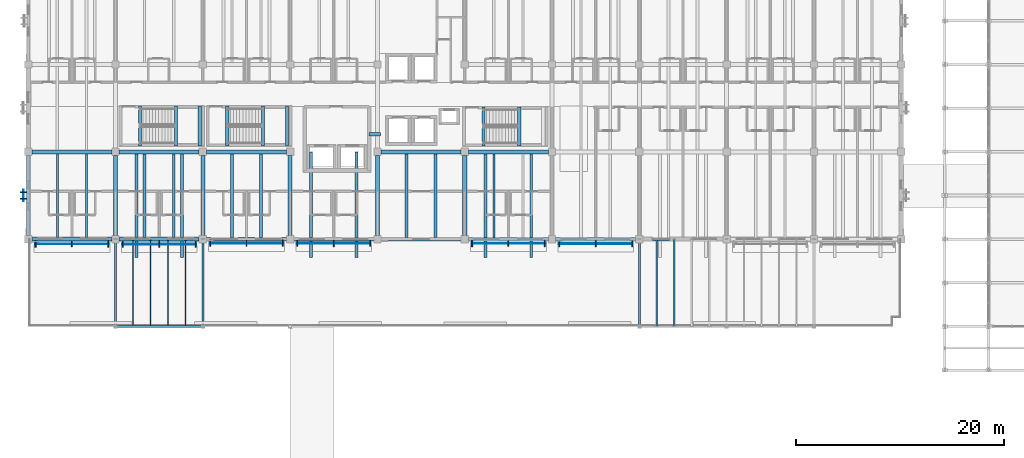
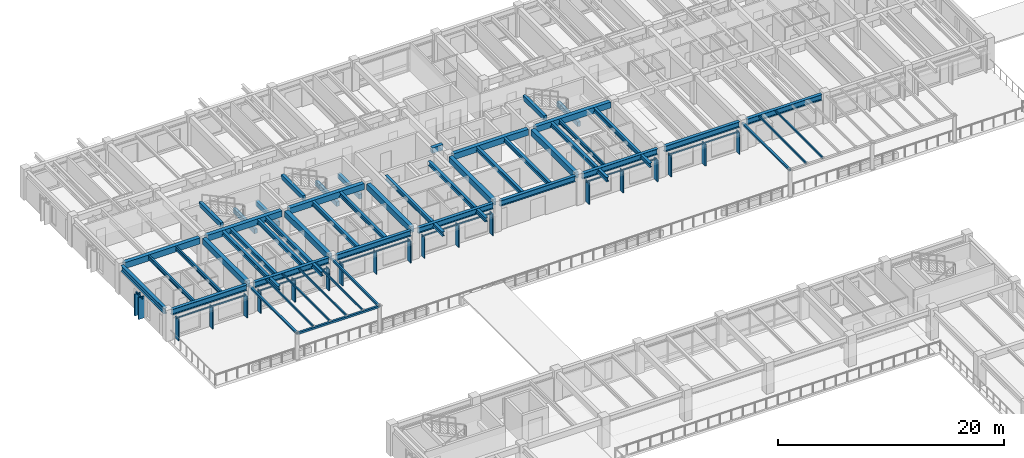
# One storey, part 15 of 111: 43 beams, 37 members, 7 elements without a shape of their own.
"""IFC4 building model written with IfcOpenShell, lengths in metres."""

from ifc_helpers import new_model, si_unit, direction, frame, origin, origin_2d, place, context, subcontext, project, spatial, rectangle, hollow_rectangle, i_section, extrude, material, material_profile, profile_set, type_object, element, aggregate, save


model = new_model("IFC4")

# Units and contexts
model_context = context("Model", 3, precision=1e-05, world=origin(), true_north=direction((0.0, 1.0)))
body_context = subcontext(model_context, "Body", "Model", "MODEL_VIEW")
ifc_project = project(units=[si_unit("LENGTHUNIT", "METRE"), si_unit("AREAUNIT", "SQUARE_METRE"), si_unit("VOLUMEUNIT", "CUBIC_METRE"), si_unit("PLANEANGLEUNIT", "RADIAN"), si_unit("MASSUNIT", "GRAM", prefix="KILO")], contexts=[model_context])

# Site, building, storey
site_placement = place(None, origin())
site = spatial("IfcSite", under=ifc_project, at=site_placement, CompositionType="ELEMENT")
building_placement = place(site_placement, origin())
building = spatial("IfcBuilding", under=site, at=building_placement, Name="Cumbredor Promenade Congress Hotel", CompositionType="ELEMENT")
storey_placement = place(building_placement, frame((0.0, 0.0, 15.1201171875)))
storey = spatial("IfcBuildingStorey", under=building, at=storey_placement, Name="L04", CompositionType="ELEMENT", Elevation=15.1201171875)

# Beams
ifc_material_1 = material(Name="Concrete C40/50", Category="concrete")
ifc_material_profile_1 = material_profile(ifc_material_1, rectangle(XDim=0.39990234375, YDim=0.64990234375, at=origin_2d()), Name="RC BEAM 400x650")
ifc_profile_set_1 = profile_set([ifc_material_profile_1], Name="Concrete C40/50")
beam_type_1 = type_object("IfcBeamType", Name="BM-RC-400x650", PredefinedType="BEAM", material=ifc_profile_set_1)
for number, where, z_axis, x_axis, name in (
    (1, (0.35009765625, 100.800048828125, 2.794921875), (1.0, 0.0, 0.0), (0.0, 1.0, 0.0), "L05 X-Grid Beam 003"),
    (2, (8.39990234375, 92.75, 2.794921875), (0.0, 1.0, 0.0), (-1.0, 0.0, 0.0), "L05 Y-Grid Beam 024"),
    (3, (8.75, 100.800048828125, 2.794921875), (1.0, 0.0, 0.0), (0.0, 1.0, 0.0), "L05 X-Grid Beam 025"),
    (4, (16.800048828125, 92.75, 2.794921875), (0.0, 1.0, 0.0), (-1.0, 0.0, 0.0), "L05 Y-Grid Beam 040"),
):
    element("IfcBeam", number, at=place(storey_placement, frame(where, z_axis=z_axis, x_axis=x_axis)), inside=storey, type_object=beam_type_1, Name=name, PredefinedType="BEAM", context=body_context, shape_type="SweptSolid", body=[
        extrude(rectangle(XDim=0.39990234375, YDim=0.64990234375, at=origin_2d()), origin(), (0.0, 0.0, 1.0), 7.699951171875),
    ])
beam_1_placement = place(storey_placement, frame((17.14990234375, 100.800048828125, 2.794921875), z_axis=(1.0, 0.0, 0.0), x_axis=(0.0, 1.0, 0.0)))
element("IfcBeam", 5, at=beam_1_placement, inside=storey, type_object=beam_type_1, Name="L05 X-Grid Beam 041", PredefinedType="BEAM", context=body_context, shape_type="SweptSolid", body=[
    extrude(rectangle(XDim=0.39990234375, YDim=0.64990234375, at=origin_2d()), origin(), (0.0, 0.0, 1.0), 7.7001953125),
])
for number, where, z_axis, x_axis, name in (
    (6, (25.199951171875, 92.75, 2.794921875), (0.0, 1.0, 0.0), (-1.0, 0.0, 0.0), "L05 Y-Grid Beam 051"),
    (7, (33.60009765625, 92.75, 2.794921875), (0.0, 1.0, 0.0), (-1.0, 0.0, 0.0), "L05 Y-Grid Beam 061"),
    (8, (33.949951171875, 100.800048828125, 2.794921875), (1.0, 0.0, 0.0), (0.0, 1.0, 0.0), "L05 X-Grid Beam 062"),
    (9, (42.0, 92.75, 2.794921875), (0.0, 1.0, 0.0), (-1.0, 0.0, 0.0), "L05 Y-Grid Beam 072"),
    (10, (42.35009765625, 100.800048828125, 2.794921875), (1.0, 0.0, 0.0), (0.0, 1.0, 0.0), "L05 X-Grid Beam 073"),
):
    element("IfcBeam", number, at=place(storey_placement, frame(where, z_axis=z_axis, x_axis=x_axis)), inside=storey, type_object=beam_type_1, Name=name, PredefinedType="BEAM", context=body_context, shape_type="SweptSolid", body=[
        extrude(rectangle(XDim=0.39990234375, YDim=0.64990234375, at=origin_2d()), origin(), (0.0, 0.0, 1.0), 7.699951171875),
    ])
ifc_material_2 = material(Name="Steel ASTM A992 Grade 50", Category="steel")
ifc_material_profile_2 = material_profile(ifc_material_2, i_section(OverallWidth=0.323974609375, OverallDepth=0.611083984375, WebThickness=0.0126953125, FlangeThickness=0.01904296875, at=origin_2d()), Name="W24X104")
ifc_profile_set_2 = profile_set([ifc_material_profile_2], Name="Steel ASTM A992 Grade 50")
beam_type_2 = type_object("IfcBeamType", Name="BM-W24X104", PredefinedType="BEAM", material=ifc_profile_set_2)
for number, where, z_axis, x_axis, name in (
    (11, (0.35009765625, 92.39990234375, 2.814453125), (1.0, 0.0, 0.0), (0.0, 1.0, 0.0), "L05 X-Grid Beam 001"),
    (12, (8.75, 92.39990234375, 2.814453125), (1.0, 0.0, 0.0), (0.0, 1.0, 0.0), "L05 X-Grid Beam 023"),
):
    element("IfcBeam", number, at=place(storey_placement, frame(where, z_axis=z_axis, x_axis=x_axis)), inside=storey, type_object=beam_type_2, Name=name, PredefinedType="BEAM", context=body_context, shape_type="SweptSolid", body=[
        extrude(i_section(OverallWidth=0.323974609375, OverallDepth=0.611083984375, WebThickness=0.0126953125, FlangeThickness=0.01904296875, at=origin_2d()), origin(), (0.0, 0.0, 1.0), 7.699951171875),
    ])
beam_2_placement = place(storey_placement, frame((17.14990234375, 92.39990234375, 2.814453125), z_axis=(1.0, 0.0, 0.0), x_axis=(0.0, 1.0, 0.0)))
element("IfcBeam", 13, at=beam_2_placement, inside=storey, type_object=beam_type_2, Name="L05 X-Grid Beam 039", PredefinedType="BEAM", context=body_context, shape_type="SweptSolid", body=[
    extrude(i_section(OverallWidth=0.323974609375, OverallDepth=0.611083984375, WebThickness=0.0126953125, FlangeThickness=0.01904296875, at=origin_2d()), origin(), (0.0, 0.0, 1.0), 7.7001953125),
])
for number, where, z_axis, x_axis, name in (
    (14, (25.550048828125, 92.39990234375, 2.814453125), (1.0, 0.0, 0.0), (0.0, 1.0, 0.0), "L05 X-Grid Beam 050"),
    (15, (33.949951171875, 92.39990234375, 2.814453125), (1.0, 0.0, 0.0), (0.0, 1.0, 0.0), "L05 X-Grid Beam 060"),
    (16, (42.35009765625, 92.39990234375, 2.814453125), (1.0, 0.0, 0.0), (0.0, 1.0, 0.0), "L05 X-Grid Beam 071"),
    (17, (50.75, 92.39990234375, 2.814453125), (1.0, 0.0, 0.0), (0.0, 1.0, 0.0), "L05 X-Grid Beam 082"),
):
    element("IfcBeam", number, at=place(storey_placement, frame(where, z_axis=z_axis, x_axis=x_axis)), inside=storey, type_object=beam_type_2, Name=name, PredefinedType="BEAM", context=body_context, shape_type="SweptSolid", body=[
        extrude(i_section(OverallWidth=0.323974609375, OverallDepth=0.611083984375, WebThickness=0.0126953125, FlangeThickness=0.01904296875, at=origin_2d()), origin(), (0.0, 0.0, 1.0), 7.699951171875),
    ])
beam_3_placement = place(storey_placement, frame((59.14990234375, 92.39990234375, 2.814453125), z_axis=(1.0, 0.0, 0.0), x_axis=(0.0, 1.0, 0.0)))
element("IfcBeam", 18, at=beam_3_placement, inside=storey, type_object=beam_type_2, Name="L05 X-Grid Beam 102", PredefinedType="BEAM", context=body_context, shape_type="SweptSolid", body=[
    extrude(i_section(OverallWidth=0.323974609375, OverallDepth=0.611083984375, WebThickness=0.0126953125, FlangeThickness=0.01904296875, at=origin_2d()), origin(), (0.0, 0.0, 1.0), 7.7001953125),
])

# Curtain wall, member
ifc_material_3 = material(Name="Thermally broken anodized aluminium and low-E glass", Category="aluminium")
curtain_wall_type = type_object("IfcCurtainWallType", Name="Solar Brise-Soleil Screen Assembly CW-07", PredefinedType="NOTDEFINED", material=ifc_material_3)
curtain_wall_1_placement = place(storey_placement, origin())
curtain_wall_1 = element("IfcCurtainWall", 19, at=curtain_wall_1_placement, inside=storey, type_object=curtain_wall_type, Name="L04 Hospitality Brise-Soleil Screen 066", PredefinedType="NOTDEFINED")
ifc_material_4 = material(Name="Thermally broken anodized aluminium", Category="aluminium")
ifc_material_profile_3 = material_profile(ifc_material_4, rectangle(XDim=0.06494140625, YDim=0.1298828125, at=origin_2d()), Name="ALU TRANSOM 65x130")
ifc_profile_set_3 = profile_set([ifc_material_profile_3], Name="Thermally broken anodized aluminium")
member_type_1 = type_object("IfcMemberType", Name="Curtain Wall Transom TR-01", PredefinedType="USERDEFINED", material=ifc_profile_set_3)
member_1_placement = place(storey_placement, frame((0.65087890625, 91.927490234375, 2.31396484375), z_axis=(1.0, 0.0, 0.0), x_axis=(0.0, 1.0, 0.0)))
member_1 = element("IfcMember", 20, at=member_1_placement, type_object=member_type_1, Name="L04 Brise-Soleil Screen Transom 066", ObjectType="TRANSOM", PredefinedType="USERDEFINED", context=body_context, shape_type="SweptSolid", body=[
    extrude(rectangle(XDim=0.06494140625, YDim=0.1298828125, at=origin_2d()), origin(), (0.0, 0.0, 1.0), 7.09814453125),
])

curtain_wall_2_placement = place(storey_placement, origin())
curtain_wall_2 = element("IfcCurtainWall", 21, at=curtain_wall_2_placement, inside=storey, type_object=curtain_wall_type, Name="L04 Hospitality Brise-Soleil Screen 067", PredefinedType="NOTDEFINED")
member_2_placement = place(storey_placement, frame((9.051025390625, 91.9150390625, 2.31396484375), z_axis=(1.0, 0.0, 0.0), x_axis=(0.0, 1.0, 0.0)))
member_2 = element("IfcMember", 22, at=member_2_placement, type_object=member_type_1, Name="L04 Brise-Soleil Screen Transom 067", ObjectType="TRANSOM", PredefinedType="USERDEFINED", context=body_context, shape_type="SweptSolid", body=[
    extrude(rectangle(XDim=0.06494140625, YDim=0.1298828125, at=origin_2d()), origin(), (0.0, 0.0, 1.0), 7.097900390625),
])

curtain_wall_3_placement = place(storey_placement, origin())
curtain_wall_3 = element("IfcCurtainWall", 23, at=curtain_wall_3_placement, inside=storey, type_object=curtain_wall_type, Name="L04 Hospitality Brise-Soleil Screen 068", PredefinedType="NOTDEFINED")
member_3_placement = place(storey_placement, frame((17.450927734375, 92.010009765625, 2.31396484375), z_axis=(1.0, 0.0, 0.0), x_axis=(0.0, 1.0, 0.0)))
member_3 = element("IfcMember", 24, at=member_3_placement, type_object=member_type_1, Name="L04 Brise-Soleil Screen Transom 068", ObjectType="TRANSOM", PredefinedType="USERDEFINED", context=body_context, shape_type="SweptSolid", body=[
    extrude(rectangle(XDim=0.06494140625, YDim=0.1298828125, at=origin_2d()), origin(), (0.0, 0.0, 1.0), 7.09814453125),
])

curtain_wall_4_placement = place(storey_placement, origin())
curtain_wall_4 = element("IfcCurtainWall", 25, at=curtain_wall_4_placement, inside=storey, type_object=curtain_wall_type, Name="L04 Hospitality Brise-Soleil Screen 069", PredefinedType="NOTDEFINED")
member_4_placement = place(storey_placement, frame((25.85107421875, 92.0, 2.31396484375), z_axis=(1.0, 0.0, 0.0), x_axis=(0.0, 1.0, 0.0)))
member_4 = element("IfcMember", 26, at=member_4_placement, type_object=member_type_1, Name="L04 Brise-Soleil Screen Transom 069", ObjectType="TRANSOM", PredefinedType="USERDEFINED", context=body_context, shape_type="SweptSolid", body=[
    extrude(rectangle(XDim=0.06494140625, YDim=0.1298828125, at=origin_2d()), origin(), (0.0, 0.0, 1.0), 7.097900390625),
])

curtain_wall_5_placement = place(storey_placement, origin())
curtain_wall_5 = element("IfcCurtainWall", 27, at=curtain_wall_5_placement, inside=storey, type_object=curtain_wall_type, Name="L04 Hospitality Brise-Soleil Screen 070", PredefinedType="NOTDEFINED")
member_5_placement = place(storey_placement, frame((42.65087890625, 91.9775390625, 2.31396484375), z_axis=(1.0, 0.0, 0.0), x_axis=(0.0, 1.0, 0.0)))
member_5 = element("IfcMember", 28, at=member_5_placement, type_object=member_type_1, Name="L04 Brise-Soleil Screen Transom 070", ObjectType="TRANSOM", PredefinedType="USERDEFINED", context=body_context, shape_type="SweptSolid", body=[
    extrude(rectangle(XDim=0.06494140625, YDim=0.1298828125, at=origin_2d()), origin(), (0.0, 0.0, 1.0), 7.09814453125),
])

curtain_wall_6_placement = place(storey_placement, origin())
curtain_wall_6 = element("IfcCurtainWall", 29, at=curtain_wall_6_placement, inside=storey, type_object=curtain_wall_type, Name="L04 Hospitality Brise-Soleil Screen 071", PredefinedType="NOTDEFINED")
member_6_placement = place(storey_placement, frame((51.051025390625, 91.965087890625, 2.31396484375), z_axis=(1.0, 0.0, 0.0), x_axis=(0.0, 1.0, 0.0)))
member_6 = element("IfcMember", 30, at=member_6_placement, type_object=member_type_1, Name="L04 Brise-Soleil Screen Transom 071", ObjectType="TRANSOM", PredefinedType="USERDEFINED", context=body_context, shape_type="SweptSolid", body=[
    extrude(rectangle(XDim=0.06494140625, YDim=0.1298828125, at=origin_2d()), origin(), (0.0, 0.0, 1.0), 7.097900390625),
])

curtain_wall_7_placement = place(storey_placement, origin())
curtain_wall_7 = element("IfcCurtainWall", 31, at=curtain_wall_7_placement, inside=storey, type_object=curtain_wall_type, Name="L04 Pier Brise-Soleil Screen 0787", PredefinedType="NOTDEFINED")
member_7_placement = place(storey_placement, frame((-0.472412109375, 96.050048828125, 2.333984375), z_axis=(0.0, 1.0, 0.0), x_axis=(-1.0, 0.0, 0.0)))
member_7 = element("IfcMember", 32, at=member_7_placement, type_object=member_type_1, Name="L04 Pier Brise-Soleil Header 0789", ObjectType="TRANSOM", PredefinedType="USERDEFINED", context=body_context, shape_type="SweptSolid", body=[
    extrude(rectangle(XDim=0.06494140625, YDim=0.1298828125, at=origin_2d()), origin(), (0.0, 0.0, 1.0), 1.099853515625),
])

# Beams
ifc_material_profile_4 = material_profile(ifc_material_2, i_section(OverallWidth=0.180908203125, OverallDepth=0.4169921875, WebThickness=0.010986328125, FlangeThickness=0.018310546875, at=origin_2d()), Name="W16X57")
ifc_profile_set_4 = profile_set([ifc_material_profile_4], Name="Steel ASTM A992 Grade 50")
beam_type_3 = type_object("IfcBeamType", Name="JST-W16X57", PredefinedType="JOIST", material=ifc_profile_set_4)
for number, where, z_axis, x_axis, name in (
    (33, (2.800048828125, 92.56201171875, 2.911376953125), (0.0, 1.0, 0.0), (-1.0, 0.0, 0.0), "L05 Secondary Floor Joist 0001"),
    (34, (5.60009765625, 92.56201171875, 2.911376953125), (0.0, 1.0, 0.0), (-1.0, 0.0, 0.0), "L05 Secondary Floor Joist 0002"),
    (35, (44.800048828125, 92.56201171875, 2.911376953125), (0.0, 1.0, 0.0), (-1.0, 0.0, 0.0), "L05 Secondary Floor Joist 0036"),
):
    element("IfcBeam", number, at=place(storey_placement, frame(where, z_axis=z_axis, x_axis=x_axis)), inside=storey, type_object=beam_type_3, Name=name, PredefinedType="JOIST", context=body_context, shape_type="SweptSolid", body=[
        extrude(i_section(OverallWidth=0.180908203125, OverallDepth=0.4169921875, WebThickness=0.010986328125, FlangeThickness=0.018310546875, at=origin_2d()), origin(), (0.0, 0.0, 1.0), 8.0380859375),
    ])
ifc_material_profile_5 = material_profile(ifc_material_2, i_section(OverallWidth=0.280029296875, OverallDepth=0.462890625, WebThickness=0.0107421875, FlangeThickness=0.017333984375, at=origin_2d()), Name="W18X76")
ifc_profile_set_5 = profile_set([ifc_material_profile_5], Name="Steel ASTM A992 Grade 50")
beam_type_4 = type_object("IfcBeamType", Name="JST-W18X76", PredefinedType="JOIST", material=ifc_profile_set_5)
for number, where, z_axis, x_axis, name in (
    (36, (10.39990234375, 90.64990234375, 2.888427734375), (0.0, 1.0, 0.0), (-1.0, 0.0, 0.0), "L05 Balcony Back-Spanned Outrigger Beam 029.1"),
    (37, (14.800048828125, 90.64990234375, 2.888427734375), (0.0, 1.0, 0.0), (-1.0, 0.0, 0.0), "L05 Balcony Back-Spanned Outrigger Beam 029.2"),
    (38, (27.199951171875, 90.64990234375, 2.888427734375), (0.0, 1.0, 0.0), (-1.0, 0.0, 0.0), "L05 Balcony Back-Spanned Outrigger Beam 030.1"),
    (39, (31.60009765625, 90.64990234375, 2.888427734375), (0.0, 1.0, 0.0), (-1.0, 0.0, 0.0), "L05 Balcony Back-Spanned Outrigger Beam 030.2"),
    (40, (44.0, 90.64990234375, 2.888427734375), (0.0, 1.0, 0.0), (-1.0, 0.0, 0.0), "L05 Balcony Back-Spanned Outrigger Beam 031.1"),
    (41, (48.39990234375, 90.64990234375, 2.888427734375), (0.0, 1.0, 0.0), (-1.0, 0.0, 0.0), "L05 Balcony Back-Spanned Outrigger Beam 031.2"),
):
    element("IfcBeam", number, at=place(storey_placement, frame(where, z_axis=z_axis, x_axis=x_axis)), inside=storey, type_object=beam_type_4, Name=name, PredefinedType="JOIST", context=body_context, shape_type="SweptSolid", body=[
        extrude(i_section(OverallWidth=0.280029296875, OverallDepth=0.462890625, WebThickness=0.0107421875, FlangeThickness=0.017333984375, at=origin_2d()), origin(), (0.0, 0.0, 1.0), 10.150146484375),
    ])
for number, where, z_axis, x_axis, name in (
    (42, (11.199951171875, 92.56201171875, 2.888427734375), (0.0, 1.0, 0.0), (-1.0, 0.0, 0.0), "L05 Secondary Floor Joist 0017"),
    (43, (14.0, 92.56201171875, 2.888427734375), (0.0, 1.0, 0.0), (-1.0, 0.0, 0.0), "L05 Secondary Floor Joist 0018"),
    (44, (19.60009765625, 92.56201171875, 2.888427734375), (0.0, 1.0, 0.0), (-1.0, 0.0, 0.0), "L05 Secondary Floor Joist 0022"),
    (45, (22.39990234375, 92.56201171875, 2.888427734375), (0.0, 1.0, 0.0), (-1.0, 0.0, 0.0), "L05 Secondary Floor Joist 0023"),
    (46, (36.39990234375, 92.56201171875, 2.888427734375), (0.0, 1.0, 0.0), (-1.0, 0.0, 0.0), "L05 Secondary Floor Joist 0032"),
    (47, (39.199951171875, 92.56201171875, 2.888427734375), (0.0, 1.0, 0.0), (-1.0, 0.0, 0.0), "L05 Secondary Floor Joist 0033"),
):
    element("IfcBeam", number, at=place(storey_placement, frame(where, z_axis=z_axis, x_axis=x_axis)), inside=storey, type_object=beam_type_4, Name=name, PredefinedType="JOIST", context=body_context, shape_type="SweptSolid", body=[
        extrude(i_section(OverallWidth=0.280029296875, OverallDepth=0.462890625, WebThickness=0.0107421875, FlangeThickness=0.017333984375, at=origin_2d()), origin(), (0.0, 0.0, 1.0), 8.0380859375),
    ])
ifc_material_profile_6 = material_profile(ifc_material_1, rectangle(XDim=0.300048828125, YDim=0.5, at=origin_2d()), Name="RC LINTEL 300x500")
ifc_profile_set_6 = profile_set([ifc_material_profile_6], Name="Concrete C40/50")
beam_type_5 = type_object("IfcBeamType", Name="LN-RC-300x500", PredefinedType="LINTEL", material=ifc_profile_set_6)
for number, where, z_axis, x_axis, name in (
    (48, (16.5, 101.3701171875, 1.22998046875), (0.0, 1.0, 0.0), (-1.0, 0.0, 0.0), "L04 Stair ST-01 Landing Ledger Beam E"),
    (49, (14.199951171875, 101.3701171875, 1.22998046875), (0.0, 1.0, 0.0), (-1.0, 0.0, 0.0), "L04 Stair ST-01 Landing Ledger Beam W"),
    (50, (10.75, 101.3701171875, 3.10986328125), (0.0, 1.0, 0.0), (-1.0, 0.0, 0.0), "L05 Stair ST-01 Well Header Trimmer Beam"),
    (51, (24.89990234375, 101.3701171875, 1.22998046875), (0.0, 1.0, 0.0), (-1.0, 0.0, 0.0), "L04 Stair ST-02 Landing Ledger Beam E"),
    (52, (22.60009765625, 101.3701171875, 1.22998046875), (0.0, 1.0, 0.0), (-1.0, 0.0, 0.0), "L04 Stair ST-02 Landing Ledger Beam W"),
    (53, (19.14990234375, 101.3701171875, 3.10986328125), (0.0, 1.0, 0.0), (-1.0, 0.0, 0.0), "L05 Stair ST-02 Well Header Trimmer Beam"),
):
    element("IfcBeam", number, at=place(storey_placement, frame(where, z_axis=z_axis, x_axis=x_axis)), inside=storey, type_object=beam_type_5, Name=name, PredefinedType="LINTEL", context=body_context, shape_type="SweptSolid", body=[
        extrude(rectangle(XDim=0.300048828125, YDim=0.5, at=origin_2d()), origin(), (0.0, 0.0, 1.0), 3.829833984375),
    ])
for number, where, z_axis, x_axis, name in (
    (54, (47.25, 101.3701171875, 1.22998046875), (0.0, 1.0, 0.0), (-1.0, 0.0, 0.0), "L04 Stair ST-03 Landing Ledger Beam W"),
    (55, (43.800048828125, 101.3701171875, 3.10986328125), (0.0, 1.0, 0.0), (-1.0, 0.0, 0.0), "L05 Stair ST-03 Well Header Trimmer Beam"),
):
    element("IfcBeam", number, at=place(storey_placement, frame(where, z_axis=z_axis, x_axis=x_axis)), inside=storey, type_object=beam_type_5, Name=name, PredefinedType="LINTEL", context=body_context, shape_type="SweptSolid", body=[
        extrude(rectangle(XDim=0.300048828125, YDim=0.5, at=origin_2d()), origin(), (0.0, 0.0, 1.0), 3.72998046875),
    ])
ifc_material_profile_7 = material_profile(ifc_material_1, rectangle(XDim=0.35009765625, YDim=0.60009765625, at=origin_2d()), Name="RC LINTEL 350x600")
ifc_profile_set_7 = profile_set([ifc_material_profile_7], Name="Concrete C40/50")
beam_type_6 = type_object("IfcBeamType", Name="LN-RC-350x600", PredefinedType="LINTEL", material=ifc_profile_set_7)
beam_4_placement = place(storey_placement, frame((32.800048828125, 102.5, 2.81982421875), z_axis=(1.0, 0.0, 0.0), x_axis=(0.0, 1.0, 0.0)))
element("IfcBeam", 56, at=beam_4_placement, inside=storey, type_object=beam_type_6, Name="L04 Core Coupling Lintel Beam", PredefinedType="LINTEL", context=body_context, shape_type="SweptSolid", body=[
    extrude(rectangle(XDim=0.35009765625, YDim=0.60009765625, at=origin_2d()), origin(), (0.0, 0.0, 1.0), 1.099853515625),
])

# Members
ifc_material_5 = material(Name="Steel ASTM A500 Grade C", Category="steel")
ifc_material_profile_8 = material_profile(ifc_material_5, hollow_rectangle(XDim=0.199951171875, YDim=0.199951171875, WallThickness=0.012451171875, at=origin_2d()), Name="HSS 200x200x12.5")
ifc_profile_set_8 = profile_set([ifc_material_profile_8], Name="Steel ASTM A500 Grade C")
member_type_2 = type_object("IfcMemberType", Name="Link Bridge Truss Chord", PredefinedType="CHORD", material=ifc_profile_set_8)
member_8_placement = place(storey_placement, frame((8.39990234375, 84.0, 2.75), z_axis=(1.0, 0.0, 0.0), x_axis=(0.0, 1.0, 0.0)))
element("IfcMember", 57, at=member_8_placement, inside=storey, type_object=member_type_2, Name="L04 Sky-Garden Pergola Tie Beam 1S", PredefinedType="CHORD", context=body_context, shape_type="SweptSolid", body=[
    extrude(hollow_rectangle(XDim=0.199951171875, YDim=0.199951171875, WallThickness=0.012451171875, at=origin_2d()), origin(), (0.0, 0.0, 1.0), 8.400146484375),
])
for number, where, z_axis, x_axis, name in (
    (58, (8.39990234375, 84.0, 2.75), (0.0, 1.0, 0.0), (-1.0, 0.0, 0.0), "L04 Sky-Garden Pergola Tie Beam 1W"),
    (59, (16.800048828125, 84.0, 2.75), (0.0, 1.0, 0.0), (-1.0, 0.0, 0.0), "L04 Sky-Garden Pergola Tie Beam 1E"),
    (60, (58.800048828125, 84.0, 2.75), (0.0, 1.0, 0.0), (-1.0, 0.0, 0.0), "L04 Sky-Garden Pergola Tie Beam 2W"),
):
    element("IfcMember", number, at=place(storey_placement, frame(where, z_axis=z_axis, x_axis=x_axis)), inside=storey, type_object=member_type_2, Name=name, PredefinedType="CHORD", context=body_context, shape_type="SweptSolid", body=[
        extrude(hollow_rectangle(XDim=0.199951171875, YDim=0.199951171875, WallThickness=0.012451171875, at=origin_2d()), origin(), (0.0, 0.0, 1.0), 8.39990234375),
    ])
ifc_material_profile_9 = material_profile(ifc_material_5, hollow_rectangle(XDim=0.1201171875, YDim=0.199951171875, WallThickness=0.010009765625, at=origin_2d()), Name="HSS 200x120x10")
ifc_profile_set_9 = profile_set([ifc_material_profile_9], Name="Steel ASTM A500 Grade C")
member_type_3 = type_object("IfcMemberType", Name="Roof Purlin HSS200x120", PredefinedType="PURLIN", material=ifc_profile_set_9)
for number, where, z_axis, x_axis, name in (
    (61, (10.080078125, 84.0, 2.89990234375), (0.0, 1.0, 0.0), (-1.0, 0.0, 0.0), "L04 Sky-Garden Trellis Slat 1.2"),
    (62, (11.760009765625, 84.0, 2.89990234375), (0.0, 1.0, 0.0), (-1.0, 0.0, 0.0), "L04 Sky-Garden Trellis Slat 1.3"),
    (63, (13.43994140625, 84.0, 2.89990234375), (0.0, 1.0, 0.0), (-1.0, 0.0, 0.0), "L04 Sky-Garden Trellis Slat 1.4"),
    (64, (15.1201171875, 84.0, 2.89990234375), (0.0, 1.0, 0.0), (-1.0, 0.0, 0.0), "L04 Sky-Garden Trellis Slat 1.5"),
    (65, (60.47998046875, 84.0, 2.89990234375), (0.0, 1.0, 0.0), (-1.0, 0.0, 0.0), "L04 Sky-Garden Trellis Slat 2.2"),
    (66, (62.159912109375, 84.0, 2.89990234375), (0.0, 1.0, 0.0), (-1.0, 0.0, 0.0), "L04 Sky-Garden Trellis Slat 2.3"),
):
    element("IfcMember", number, at=place(storey_placement, frame(where, z_axis=z_axis, x_axis=x_axis)), inside=storey, type_object=member_type_3, Name=name, PredefinedType="PURLIN", context=body_context, shape_type="SweptSolid", body=[
        extrude(hollow_rectangle(XDim=0.1201171875, YDim=0.199951171875, WallThickness=0.010009765625, at=origin_2d()), origin(), (0.0, 0.0, 1.0), 8.39990234375),
    ])

# Beam
ifc_material_profile_10 = material_profile(ifc_material_2, i_section(OverallWidth=0.323974609375, OverallDepth=0.611083984375, WebThickness=0.0126953125, FlangeThickness=0.01904296875, at=origin_2d()), Name="W24X104")
ifc_profile_set_10 = profile_set([ifc_material_profile_10], Name="Steel ASTM A992 Grade 50")
beam_type_7 = type_object("IfcBeamType", Name="SP-W24X104", PredefinedType="SPANDREL", material=ifc_profile_set_10)
beam_5_placement = place(storey_placement, frame((0.0, 92.75, 2.814453125), z_axis=(0.0, 1.0, 0.0), x_axis=(-1.0, 0.0, 0.0)))
element("IfcBeam", 67, at=beam_5_placement, inside=storey, type_object=beam_type_7, Name="L05 Y-Grid Beam 002", PredefinedType="SPANDREL", context=body_context, shape_type="SweptSolid", body=[
    extrude(i_section(OverallWidth=0.323974609375, OverallDepth=0.611083984375, WebThickness=0.0126953125, FlangeThickness=0.01904296875, at=origin_2d()), origin(), (0.0, 0.0, 1.0), 7.699951171875),
])

# Member
ifc_material_profile_11 = material_profile(ifc_material_4, rectangle(XDim=0.110107421875, YDim=0.6201171875, at=origin_2d()), Name="ARCH FIN 110x620")
ifc_profile_set_11 = profile_set([ifc_material_profile_11], Name="Thermally broken anodized aluminium")
member_type_4 = type_object("IfcMemberType", Name="Vertical Bronze Brise-Soleil Fin BSF-02 110x620", PredefinedType="USERDEFINED", material=ifc_profile_set_11)
member_9_placement = place(storey_placement, frame((0.700927734375, 91.927490234375, 0.019775390625), z_axis=(0.0, 0.0, 1.0), x_axis=(1.0, 0.0, 0.0)))
member_9 = element("IfcMember", 68, at=member_9_placement, type_object=member_type_4, Name="L04 Vertical Brise-Soleil Fin 0736", ObjectType="SOLAR FIN", PredefinedType="USERDEFINED", context=body_context, shape_type="SweptSolid", body=[
    extrude(rectangle(XDim=0.110107421875, YDim=0.6201171875, at=origin_2d()), origin(), (0.0, 0.0, 1.0), 2.35400390625),
])

member_10_placement = place(storey_placement, frame((7.698974609375, 91.927490234375, 0.019775390625), z_axis=(0.0, 0.0, 1.0), x_axis=(1.0, 0.0, 0.0)))
member_10 = element("IfcMember", 69, at=member_10_placement, type_object=member_type_4, Name="L04 Vertical Brise-Soleil Fin 0738", ObjectType="SOLAR FIN", PredefinedType="USERDEFINED", context=body_context, shape_type="SweptSolid", body=[
    extrude(rectangle(XDim=0.110107421875, YDim=0.6201171875, at=origin_2d()), origin(), (0.0, 0.0, 1.0), 2.35400390625),
])

member_11_placement = place(storey_placement, frame((12.60009765625, 91.9150390625, 0.019775390625), z_axis=(0.0, 0.0, 1.0), x_axis=(1.0, 0.0, 0.0)))
member_11 = element("IfcMember", 70, at=member_11_placement, type_object=member_type_4, Name="L04 Vertical Brise-Soleil Fin 0740", ObjectType="SOLAR FIN", PredefinedType="USERDEFINED", context=body_context, shape_type="SweptSolid", body=[
    extrude(rectangle(XDim=0.110107421875, YDim=0.6201171875, at=origin_2d()), origin(), (0.0, 0.0, 1.0), 2.35400390625),
])

member_12_placement = place(storey_placement, frame((17.5009765625, 92.010009765625, 0.019775390625), z_axis=(0.0, 0.0, 1.0), x_axis=(1.0, 0.0, 0.0)))
member_12 = element("IfcMember", 71, at=member_12_placement, type_object=member_type_4, Name="L04 Vertical Brise-Soleil Fin 0742", ObjectType="SOLAR FIN", PredefinedType="USERDEFINED", context=body_context, shape_type="SweptSolid", body=[
    extrude(rectangle(XDim=0.110107421875, YDim=0.6201171875, at=origin_2d()), origin(), (0.0, 0.0, 1.0), 2.35400390625),
])

member_13_placement = place(storey_placement, frame((24.4990234375, 92.010009765625, 0.019775390625), z_axis=(0.0, 0.0, 1.0), x_axis=(1.0, 0.0, 0.0)))
member_13 = element("IfcMember", 72, at=member_13_placement, type_object=member_type_4, Name="L04 Vertical Brise-Soleil Fin 0744", ObjectType="SOLAR FIN", PredefinedType="USERDEFINED", context=body_context, shape_type="SweptSolid", body=[
    extrude(rectangle(XDim=0.110107421875, YDim=0.6201171875, at=origin_2d()), origin(), (0.0, 0.0, 1.0), 2.35400390625),
])

member_14_placement = place(storey_placement, frame((29.39990234375, 92.0, 0.019775390625), z_axis=(0.0, 0.0, 1.0), x_axis=(1.0, 0.0, 0.0)))
member_14 = element("IfcMember", 73, at=member_14_placement, type_object=member_type_4, Name="L04 Vertical Brise-Soleil Fin 0746", ObjectType="SOLAR FIN", PredefinedType="USERDEFINED", context=body_context, shape_type="SweptSolid", body=[
    extrude(rectangle(XDim=0.110107421875, YDim=0.6201171875, at=origin_2d()), origin(), (0.0, 0.0, 1.0), 2.35400390625),
])

member_15_placement = place(storey_placement, frame((42.700927734375, 91.9775390625, 0.019775390625), z_axis=(0.0, 0.0, 1.0), x_axis=(1.0, 0.0, 0.0)))
member_15 = element("IfcMember", 74, at=member_15_placement, type_object=member_type_4, Name="L04 Vertical Brise-Soleil Fin 0748", ObjectType="SOLAR FIN", PredefinedType="USERDEFINED", context=body_context, shape_type="SweptSolid", body=[
    extrude(rectangle(XDim=0.110107421875, YDim=0.6201171875, at=origin_2d()), origin(), (0.0, 0.0, 1.0), 2.35400390625),
])

member_16_placement = place(storey_placement, frame((49.698974609375, 91.9775390625, 0.019775390625), z_axis=(0.0, 0.0, 1.0), x_axis=(1.0, 0.0, 0.0)))
member_16 = element("IfcMember", 75, at=member_16_placement, type_object=member_type_4, Name="L04 Vertical Brise-Soleil Fin 0750", ObjectType="SOLAR FIN", PredefinedType="USERDEFINED", context=body_context, shape_type="SweptSolid", body=[
    extrude(rectangle(XDim=0.110107421875, YDim=0.6201171875, at=origin_2d()), origin(), (0.0, 0.0, 1.0), 2.35400390625),
])

member_17_placement = place(storey_placement, frame((54.60009765625, 91.965087890625, 0.019775390625), z_axis=(0.0, 0.0, 1.0), x_axis=(1.0, 0.0, 0.0)))
member_17 = element("IfcMember", 76, at=member_17_placement, type_object=member_type_4, Name="L04 Vertical Brise-Soleil Fin 0752", ObjectType="SOLAR FIN", PredefinedType="USERDEFINED", context=body_context, shape_type="SweptSolid", body=[
    extrude(rectangle(XDim=0.110107421875, YDim=0.6201171875, at=origin_2d()), origin(), (0.0, 0.0, 1.0), 2.35400390625),
])

member_18_placement = place(storey_placement, frame((-0.472412109375, 96.280029296875, 0.019775390625), z_axis=(0.0, 0.0, 1.0), x_axis=(0.0, 1.0, 0.0)))
member_18 = element("IfcMember", 77, at=member_18_placement, type_object=member_type_4, Name="L04 Pier Brise-Soleil Fin 0788", ObjectType="SOLAR FIN", PredefinedType="USERDEFINED", context=body_context, shape_type="SweptSolid", body=[
    extrude(rectangle(XDim=0.110107421875, YDim=0.6201171875, at=origin_2d()), origin(), (0.0, 0.0, 1.0), 2.35400390625),
])

member_19_placement = place(storey_placement, frame((-0.472412109375, 96.919921875, 0.019775390625), z_axis=(0.0, 0.0, 1.0), x_axis=(0.0, 1.0, 0.0)))
member_19 = element("IfcMember", 78, at=member_19_placement, type_object=member_type_4, Name="L04 Pier Brise-Soleil Fin 0789", ObjectType="SOLAR FIN", PredefinedType="USERDEFINED", context=body_context, shape_type="SweptSolid", body=[
    extrude(rectangle(XDim=0.110107421875, YDim=0.6201171875, at=origin_2d()), origin(), (0.0, 0.0, 1.0), 2.35400390625),
])

aggregate(curtain_wall_7, [member_18, member_19, member_7])

ifc_material_6 = material(Name="Kiln-dried tropical hardwood", Category="wood")
ifc_material_profile_12 = material_profile(ifc_material_6, rectangle(XDim=0.090087890625, YDim=0.550048828125, at=origin_2d()), Name="ARCH FIN 90x550")
ifc_profile_set_12 = profile_set([ifc_material_profile_12], Name="Kiln-dried tropical hardwood")
member_type_5 = type_object("IfcMemberType", Name="Vertical Hardwood Brise-Soleil Fin BSF-01 90x550", PredefinedType="USERDEFINED", material=ifc_profile_set_12)
member_20_placement = place(storey_placement, frame((4.199951171875, 91.927490234375, 0.019775390625), z_axis=(0.0, 0.0, 1.0), x_axis=(1.0, 0.0, 0.0)))
member_20 = element("IfcMember", 79, at=member_20_placement, type_object=member_type_5, Name="L04 Vertical Brise-Soleil Fin 0737", ObjectType="SOLAR FIN", PredefinedType="USERDEFINED", context=body_context, shape_type="SweptSolid", body=[
    extrude(rectangle(XDim=0.090087890625, YDim=0.550048828125, at=origin_2d()), origin(), (0.0, 0.0, 1.0), 2.35400390625),
])

aggregate(curtain_wall_1, [member_1, member_9, member_20, member_10])

member_21_placement = place(storey_placement, frame((9.10107421875, 91.9150390625, 0.019775390625), z_axis=(0.0, 0.0, 1.0), x_axis=(1.0, 0.0, 0.0)))
member_21 = element("IfcMember", 80, at=member_21_placement, type_object=member_type_5, Name="L04 Vertical Brise-Soleil Fin 0739", ObjectType="SOLAR FIN", PredefinedType="USERDEFINED", context=body_context, shape_type="SweptSolid", body=[
    extrude(rectangle(XDim=0.090087890625, YDim=0.550048828125, at=origin_2d()), origin(), (0.0, 0.0, 1.0), 2.35400390625),
])

member_22_placement = place(storey_placement, frame((16.09912109375, 91.9150390625, 0.019775390625), z_axis=(0.0, 0.0, 1.0), x_axis=(1.0, 0.0, 0.0)))
member_22 = element("IfcMember", 81, at=member_22_placement, type_object=member_type_5, Name="L04 Vertical Brise-Soleil Fin 0741", ObjectType="SOLAR FIN", PredefinedType="USERDEFINED", context=body_context, shape_type="SweptSolid", body=[
    extrude(rectangle(XDim=0.090087890625, YDim=0.550048828125, at=origin_2d()), origin(), (0.0, 0.0, 1.0), 2.35400390625),
])

aggregate(curtain_wall_2, [member_2, member_21, member_11, member_22])

member_23_placement = place(storey_placement, frame((21.0, 92.010009765625, 0.019775390625), z_axis=(0.0, 0.0, 1.0), x_axis=(1.0, 0.0, 0.0)))
member_23 = element("IfcMember", 82, at=member_23_placement, type_object=member_type_5, Name="L04 Vertical Brise-Soleil Fin 0743", ObjectType="SOLAR FIN", PredefinedType="USERDEFINED", context=body_context, shape_type="SweptSolid", body=[
    extrude(rectangle(XDim=0.090087890625, YDim=0.550048828125, at=origin_2d()), origin(), (0.0, 0.0, 1.0), 2.35400390625),
])

aggregate(curtain_wall_3, [member_3, member_12, member_23, member_13])

member_24_placement = place(storey_placement, frame((25.90087890625, 92.0, 0.019775390625), z_axis=(0.0, 0.0, 1.0), x_axis=(1.0, 0.0, 0.0)))
member_24 = element("IfcMember", 83, at=member_24_placement, type_object=member_type_5, Name="L04 Vertical Brise-Soleil Fin 0745", ObjectType="SOLAR FIN", PredefinedType="USERDEFINED", context=body_context, shape_type="SweptSolid", body=[
    extrude(rectangle(XDim=0.090087890625, YDim=0.550048828125, at=origin_2d()), origin(), (0.0, 0.0, 1.0), 2.35400390625),
])

member_25_placement = place(storey_placement, frame((32.89892578125, 92.0, 0.019775390625), z_axis=(0.0, 0.0, 1.0), x_axis=(1.0, 0.0, 0.0)))
member_25 = element("IfcMember", 84, at=member_25_placement, type_object=member_type_5, Name="L04 Vertical Brise-Soleil Fin 0747", ObjectType="SOLAR FIN", PredefinedType="USERDEFINED", context=body_context, shape_type="SweptSolid", body=[
    extrude(rectangle(XDim=0.090087890625, YDim=0.550048828125, at=origin_2d()), origin(), (0.0, 0.0, 1.0), 2.35400390625),
])

aggregate(curtain_wall_4, [member_4, member_24, member_14, member_25])

member_26_placement = place(storey_placement, frame((46.199951171875, 91.9775390625, 0.019775390625), z_axis=(0.0, 0.0, 1.0), x_axis=(1.0, 0.0, 0.0)))
member_26 = element("IfcMember", 85, at=member_26_placement, type_object=member_type_5, Name="L04 Vertical Brise-Soleil Fin 0749", ObjectType="SOLAR FIN", PredefinedType="USERDEFINED", context=body_context, shape_type="SweptSolid", body=[
    extrude(rectangle(XDim=0.090087890625, YDim=0.550048828125, at=origin_2d()), origin(), (0.0, 0.0, 1.0), 2.35400390625),
])

aggregate(curtain_wall_5, [member_5, member_15, member_26, member_16])

member_27_placement = place(storey_placement, frame((51.10107421875, 91.965087890625, 0.019775390625), z_axis=(0.0, 0.0, 1.0), x_axis=(1.0, 0.0, 0.0)))
member_27 = element("IfcMember", 86, at=member_27_placement, type_object=member_type_5, Name="L04 Vertical Brise-Soleil Fin 0751", ObjectType="SOLAR FIN", PredefinedType="USERDEFINED", context=body_context, shape_type="SweptSolid", body=[
    extrude(rectangle(XDim=0.090087890625, YDim=0.550048828125, at=origin_2d()), origin(), (0.0, 0.0, 1.0), 2.35400390625),
])

member_28_placement = place(storey_placement, frame((58.09912109375, 91.965087890625, 0.019775390625), z_axis=(0.0, 0.0, 1.0), x_axis=(1.0, 0.0, 0.0)))
member_28 = element("IfcMember", 87, at=member_28_placement, type_object=member_type_5, Name="L04 Vertical Brise-Soleil Fin 0753", ObjectType="SOLAR FIN", PredefinedType="USERDEFINED", context=body_context, shape_type="SweptSolid", body=[
    extrude(rectangle(XDim=0.090087890625, YDim=0.550048828125, at=origin_2d()), origin(), (0.0, 0.0, 1.0), 2.35400390625),
])

aggregate(curtain_wall_6, [member_6, member_27, member_17, member_28])

save(model, "model.ifc")
